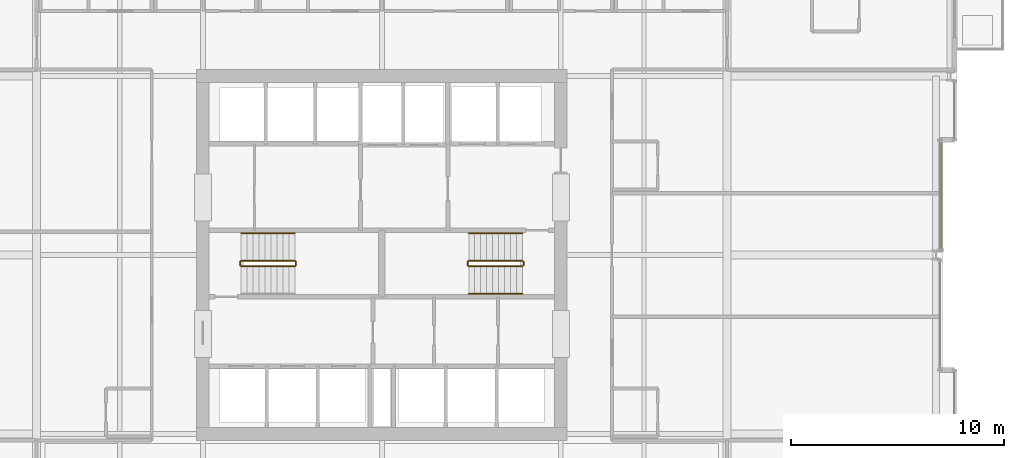
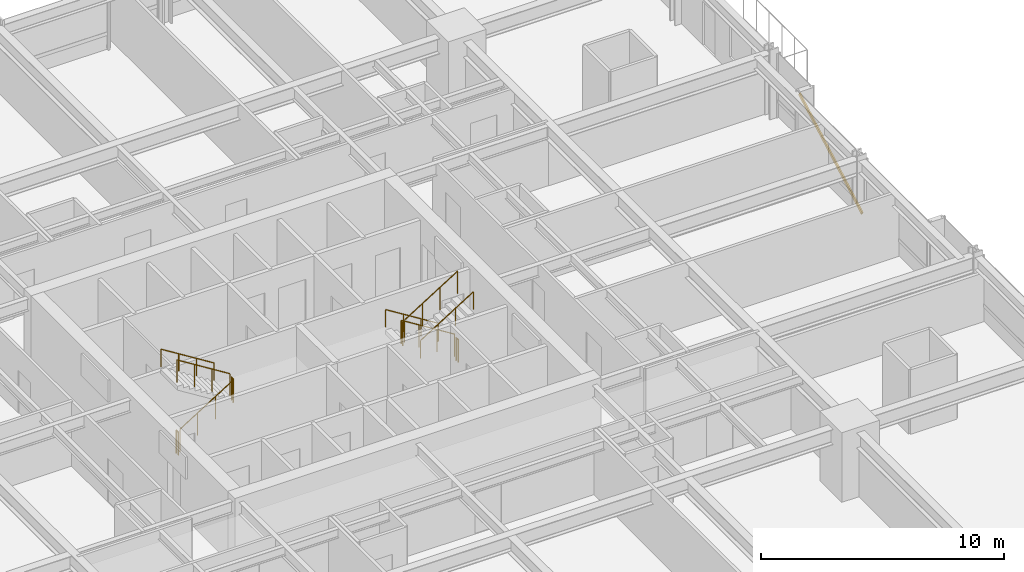
# One storey, part 37 of 38: 11 railings, 1 shading device.
"""IFC4 building model written with IfcOpenShell, lengths in metres."""

from ifc_helpers import new_model, si_unit, direction, frame, origin, origin_2d, place, context, subcontext, project, spatial, hollow_rectangle, circle, extrude, material, material_profile, profile_set, type_object, element, save


model = new_model("IFC4")

# Units and contexts
model_context = context("Model", 3, precision=1e-05, world=origin(), true_north=direction((0.0, 1.0)))
body_context = subcontext(model_context, "Body", "Model", "MODEL_VIEW")
ifc_project = project(units=[si_unit("LENGTHUNIT", "METRE"), si_unit("AREAUNIT", "SQUARE_METRE"), si_unit("VOLUMEUNIT", "CUBIC_METRE"), si_unit("PLANEANGLEUNIT", "RADIAN"), si_unit("MASSUNIT", "GRAM", prefix="KILO")], contexts=[model_context])

# Site, building, storey
site_placement = place(None, origin())
site = spatial("IfcSite", under=ifc_project, at=site_placement, CompositionType="ELEMENT")
building_placement = place(site_placement, origin())
building = spatial("IfcBuilding", under=site, at=building_placement, Name="Drelvath Grand Hotel", CompositionType="ELEMENT")
storey_placement = place(building_placement, frame((0.0, 0.0, 64.699951171875)))
storey = spatial("IfcBuildingStorey", under=building, at=storey_placement, Name="L15", CompositionType="ELEMENT", Elevation=64.699951171875)

# Railings
ifc_material_1 = material(Name="Painted Steel S275", Category="steel")
railing_type_1 = type_object("IfcRailingType", Name="Core Stair Wall Handrail 900", PredefinedType="HANDRAIL", material=ifc_material_1)
for number, where, name in (
    (1, (-4.080078125, 28.030029296875, 1.925048828125), "L15 ST-1 stair handrail 2"),
    (2, (6.60009765625, 28.030029296875, 0.175048828125), "L15 ST-2 stair handrail 1"),
):
    element("IfcRailing", number, at=place(storey_placement, frame(where)), inside=storey, type_object=railing_type_1, Name=name, PredefinedType="HANDRAIL", context=body_context, shape_type="SweptSolid", body=[
        extrude(circle(Radius=0.02392578125, at=origin_2d()), frame((0.0, 0.0, 0.8759765625), z_axis=(-0.848007534815, 0.0, 0.529984170421), x_axis=(0.0, -1.0, 0.0)), (0.0, 0.0, 1.0), 2.9716796875),
        extrude(circle(Radius=0.02099609375, at=origin_2d()), origin(), (0.0, 0.0, 1.0), 0.851806640625),
        extrude(circle(Radius=0.02099609375, at=origin_2d()), frame((-0.840087890625, 0.0, 0.52490234375)), (0.0, 0.0, 1.0), 0.851806640625),
        extrude(circle(Radius=0.02099609375, at=origin_2d()), frame((-1.679931640625, 0.0, 1.050048828125)), (0.0, 0.0, 1.0), 0.851806640625),
        extrude(circle(Radius=0.02099609375, at=origin_2d()), frame((-2.52001953125, 0.0, 1.574951171875)), (0.0, 0.0, 1.0), 0.851806640625),
    ])
railing_1_placement = place(storey_placement, frame((4.080078125, 25.169921875, 1.925048828125)))
element("IfcRailing", 3, at=railing_1_placement, inside=storey, type_object=railing_type_1, Name="L15 ST-2 stair handrail 2", PredefinedType="HANDRAIL", context=body_context, shape_type="SweptSolid", body=[
    extrude(circle(Radius=0.02392578125, at=origin_2d()), frame((0.0, 0.0, 0.8759765625), z_axis=(0.848007534815, 0.0, 0.529984170421), x_axis=(0.0, 1.0, 0.0)), (0.0, 0.0, 1.0), 2.9716796875),
    extrude(circle(Radius=0.02099609375, at=origin_2d()), origin(), (0.0, 0.0, 1.0), 0.851806640625),
    extrude(circle(Radius=0.02099609375, at=origin_2d()), frame((0.840087890625, 0.0, 0.52490234375)), (0.0, 0.0, 1.0), 0.851806640625),
    extrude(circle(Radius=0.02099609375, at=origin_2d()), frame((1.679931640625, 0.0, 1.050048828125)), (0.0, 0.0, 1.0), 0.851806640625),
    extrude(circle(Radius=0.02099609375, at=origin_2d()), frame((2.52001953125, 0.0, 1.574951171875)), (0.0, 0.0, 1.0), 0.851806640625),
])
railing_type_2 = type_object("IfcRailingType", Name="Core Stair Well Guardrail 1100", PredefinedType="GUARDRAIL", material=ifc_material_1)
railing_2_placement = place(storey_placement, frame((-6.60009765625, 26.469970703125, 0.175048828125)))
element("IfcRailing", 4, at=railing_2_placement, inside=storey, type_object=railing_type_2, Name="L15 ST-1 stair guard 1", PredefinedType="GUARDRAIL", context=body_context, shape_type="SweptSolid", body=[
    extrude(circle(Radius=0.02392578125, at=origin_2d()), frame((0.0, 0.0, 1.1259765625), z_axis=(0.848007534815, 0.0, 0.529984170421), x_axis=(0.0, 1.0, 0.0)), (0.0, 0.0, 1.0), 2.9716796875),
    extrude(circle(Radius=0.02099609375, at=origin_2d()), origin(), (0.0, 0.0, 1.0), 1.101806640625),
    extrude(circle(Radius=0.02099609375, at=origin_2d()), frame((0.840087890625, 0.0, 0.52490234375)), (0.0, 0.0, 1.0), 1.101806640625),
    extrude(circle(Radius=0.02099609375, at=origin_2d()), frame((1.679931640625, 0.0, 1.050048828125)), (0.0, 0.0, 1.0), 1.101806640625),
    extrude(circle(Radius=0.02099609375, at=origin_2d()), frame((2.52001953125, 0.0, 1.574951171875)), (0.0, 0.0, 1.0), 1.101806640625),
])
railing_3_placement = place(storey_placement, frame((-4.030029296875, 26.52001953125, 1.75)))
element("IfcRailing", 5, at=railing_3_placement, inside=storey, type_object=railing_type_2, Name="L15 ST-1 stair guard 2", PredefinedType="GUARDRAIL", context=body_context, shape_type="SweptSolid", body=[
    extrude(circle(Radius=0.02392578125, at=origin_2d()), frame((0.0, 0.0, 1.1259765625), z_axis=(0.0, 1.0, 0.0), x_axis=(-1.0, 0.0, 0.0)), (0.0, 0.0, 1.0), 0.159912109375),
    extrude(circle(Radius=0.02099609375, at=origin_2d()), origin(), (0.0, 0.0, 1.0), 1.101806640625),
    extrude(circle(Radius=0.02099609375, at=origin_2d()), frame((0.0, 0.159912109375, 0.0)), (0.0, 0.0, 1.0), 1.101806640625),
])
railing_4_placement = place(storey_placement, frame((-4.080078125, 26.72998046875, 1.925048828125)))
element("IfcRailing", 6, at=railing_4_placement, inside=storey, type_object=railing_type_2, Name="L15 ST-1 stair guard 3", PredefinedType="GUARDRAIL", context=body_context, shape_type="SweptSolid", body=[
    extrude(circle(Radius=0.02392578125, at=origin_2d()), frame((0.0, 0.0, 1.1259765625), z_axis=(-0.848007534815, 0.0, 0.529984170421), x_axis=(0.0, -1.0, 0.0)), (0.0, 0.0, 1.0), 2.9716796875),
    extrude(circle(Radius=0.02099609375, at=origin_2d()), origin(), (0.0, 0.0, 1.0), 1.101806640625),
    extrude(circle(Radius=0.02099609375, at=origin_2d()), frame((-0.840087890625, 0.0, 0.52490234375)), (0.0, 0.0, 1.0), 1.101806640625),
    extrude(circle(Radius=0.02099609375, at=origin_2d()), frame((-1.679931640625, 0.0, 1.050048828125)), (0.0, 0.0, 1.0), 1.101806640625),
    extrude(circle(Radius=0.02099609375, at=origin_2d()), frame((-2.52001953125, 0.0, 1.574951171875)), (0.0, 0.0, 1.0), 1.101806640625),
])
railing_5_placement = place(storey_placement, frame((-6.64990234375, 26.52001953125, 0.0)))
element("IfcRailing", 7, at=railing_5_placement, inside=storey, type_object=railing_type_2, Name="L15 ST-1 stair guard 4", PredefinedType="GUARDRAIL", context=body_context, shape_type="SweptSolid", body=[
    extrude(circle(Radius=0.02392578125, at=origin_2d()), frame((0.0, 0.0, 1.1259765625), z_axis=(0.0, 1.0, 0.0), x_axis=(-1.0, 0.0, 0.0)), (0.0, 0.0, 1.0), 0.159912109375),
    extrude(circle(Radius=0.02099609375, at=origin_2d()), origin(), (0.0, 0.0, 1.0), 1.101806640625),
    extrude(circle(Radius=0.02099609375, at=origin_2d()), frame((0.0, 0.159912109375, 0.0)), (0.0, 0.0, 1.0), 1.101806640625),
])
railing_6_placement = place(storey_placement, frame((6.60009765625, 26.72998046875, 0.175048828125)))
element("IfcRailing", 8, at=railing_6_placement, inside=storey, type_object=railing_type_2, Name="L15 ST-2 stair guard 1", PredefinedType="GUARDRAIL", context=body_context, shape_type="SweptSolid", body=[
    extrude(circle(Radius=0.02392578125, at=origin_2d()), frame((0.0, 0.0, 1.1259765625), z_axis=(-0.848007534815, 0.0, 0.529984170421), x_axis=(0.0, -1.0, 0.0)), (0.0, 0.0, 1.0), 2.9716796875),
    extrude(circle(Radius=0.02099609375, at=origin_2d()), origin(), (0.0, 0.0, 1.0), 1.101806640625),
    extrude(circle(Radius=0.02099609375, at=origin_2d()), frame((-0.840087890625, 0.0, 0.52490234375)), (0.0, 0.0, 1.0), 1.101806640625),
    extrude(circle(Radius=0.02099609375, at=origin_2d()), frame((-1.679931640625, 0.0, 1.050048828125)), (0.0, 0.0, 1.0), 1.101806640625),
    extrude(circle(Radius=0.02099609375, at=origin_2d()), frame((-2.52001953125, 0.0, 1.574951171875)), (0.0, 0.0, 1.0), 1.101806640625),
])
railing_7_placement = place(storey_placement, frame((4.030029296875, 26.679931640625, 1.75)))
element("IfcRailing", 9, at=railing_7_placement, inside=storey, type_object=railing_type_2, Name="L15 ST-2 stair guard 2", PredefinedType="GUARDRAIL", context=body_context, shape_type="SweptSolid", body=[
    extrude(circle(Radius=0.02392578125, at=origin_2d()), frame((0.0, 0.0, 1.1259765625), z_axis=(0.0, -1.0, 0.0), x_axis=(1.0, 0.0, 0.0)), (0.0, 0.0, 1.0), 0.159912109375),
    extrude(circle(Radius=0.02099609375, at=origin_2d()), origin(), (0.0, 0.0, 1.0), 1.101806640625),
    extrude(circle(Radius=0.02099609375, at=origin_2d()), frame((0.0, -0.159912109375, 0.0)), (0.0, 0.0, 1.0), 1.101806640625),
])
railing_8_placement = place(storey_placement, frame((4.080078125, 26.469970703125, 1.925048828125)))
element("IfcRailing", 10, at=railing_8_placement, inside=storey, type_object=railing_type_2, Name="L15 ST-2 stair guard 3", PredefinedType="GUARDRAIL", context=body_context, shape_type="SweptSolid", body=[
    extrude(circle(Radius=0.02392578125, at=origin_2d()), frame((0.0, 0.0, 1.1259765625), z_axis=(0.848007534815, 0.0, 0.529984170421), x_axis=(0.0, 1.0, 0.0)), (0.0, 0.0, 1.0), 2.9716796875),
    extrude(circle(Radius=0.02099609375, at=origin_2d()), origin(), (0.0, 0.0, 1.0), 1.101806640625),
    extrude(circle(Radius=0.02099609375, at=origin_2d()), frame((0.840087890625, 0.0, 0.52490234375)), (0.0, 0.0, 1.0), 1.101806640625),
    extrude(circle(Radius=0.02099609375, at=origin_2d()), frame((1.679931640625, 0.0, 1.050048828125)), (0.0, 0.0, 1.0), 1.101806640625),
    extrude(circle(Radius=0.02099609375, at=origin_2d()), frame((2.52001953125, 0.0, 1.574951171875)), (0.0, 0.0, 1.0), 1.101806640625),
])
railing_9_placement = place(storey_placement, frame((6.64990234375, 26.679931640625, 0.0)))
element("IfcRailing", 11, at=railing_9_placement, inside=storey, type_object=railing_type_2, Name="L15 ST-2 stair guard 4", PredefinedType="GUARDRAIL", context=body_context, shape_type="SweptSolid", body=[
    extrude(circle(Radius=0.02392578125, at=origin_2d()), frame((0.0, 0.0, 1.1259765625), z_axis=(0.0, -1.0, 0.0), x_axis=(1.0, 0.0, 0.0)), (0.0, 0.0, 1.0), 0.159912109375),
    extrude(circle(Radius=0.02099609375, at=origin_2d()), origin(), (0.0, 0.0, 1.0), 1.101806640625),
    extrude(circle(Radius=0.02099609375, at=origin_2d()), frame((0.0, -0.159912109375, 0.0)), (0.0, 0.0, 1.0), 1.101806640625),
])

# Shading device
ifc_material_2 = material(Name="Warm Bronze Anodised Aluminium", Category="aluminium")
ifc_material_profile = material_profile(ifc_material_2, hollow_rectangle(XDim=0.06494140625, YDim=0.159912109375, WallThickness=0.00390625, at=origin_2d()), Name="HSS160X65X4")
ifc_profile_set = profile_set([ifc_material_profile], Name="Warm Bronze Anodised Aluminium")
shading_device_type = type_object("IfcShadingDeviceType", Name="Diagonal Solar Fin Warm Bronze Anodised HSS160X65X4", PredefinedType="USERDEFINED", material=ifc_profile_set)
shading_device_placement = place(storey_placement, frame((26.280029296875, 27.22900390625, 0.179931640625), z_axis=(0.0, 0.873625592273, 0.486598730502), x_axis=(-1.0, 0.0, 0.0)))
element("IfcShadingDevice", 12, at=shading_device_placement, inside=storey, type_object=shading_device_type, Name="L15 Diagonal Anodised Fin CW02-L15-EM2", ObjectType="FIN", PredefinedType="USERDEFINED", context=body_context, shape_type="SweptSolid", body=[
    extrude(hollow_rectangle(XDim=0.06494140625, YDim=0.159912109375, WallThickness=0.00390625, at=origin_2d()), origin(), (0.0, 0.0, 1.0), 5.9189453125),
])

save(model, "model.ifc")
